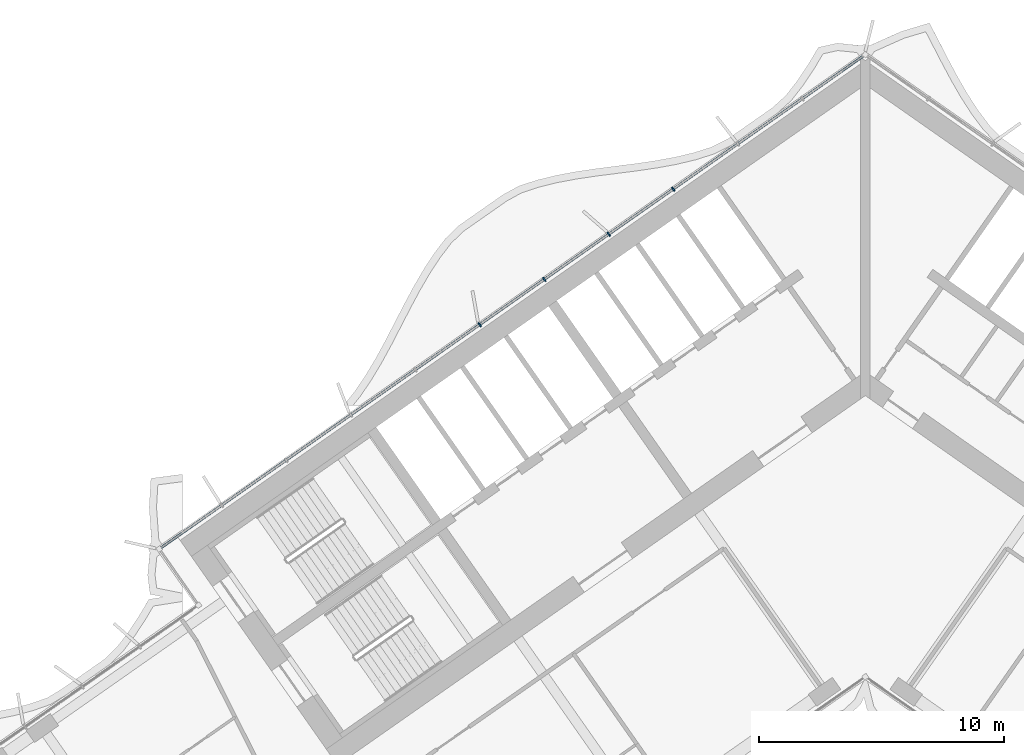
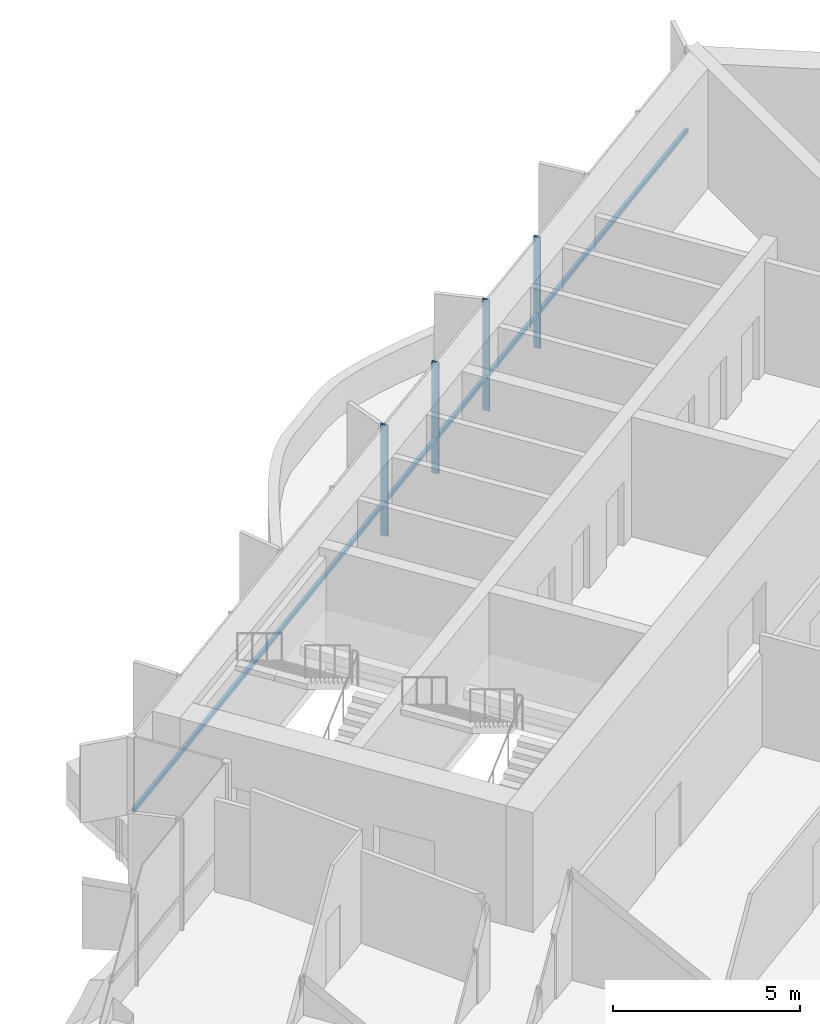
# One storey, part 8 of 24: 5 members, 1 element without a shape of its own.
"""IFC4 building model written with IfcOpenShell, lengths in metres."""

import ifcopenshell
import ifcopenshell.guid

model = None  # the IFC model being written
_history = None  # IfcOwnerHistory: only IFC2X3 demands one
_inside = {}  # id of a spatial element -> (the spatial element, [elements in it])
_under = {}  # id of a project, library or spatial element -> (it, [spatial elements below it])
_declared = {}  # id of a project -> (the project, [libraries it declares])
_typed = {}  # id of a type object -> (the type object, [elements of that type])
_made_of = {}  # id of a material, layer set ... -> (it, [elements and type objects made of it])


def new_model(schema):
    """Start an empty IFC model of exactly this schema.

    Asked for "IFC4X3", IfcOpenShell would pick the latest addendum, in which some entities
    have other attributes; the version numbers below select the first issue.
    IFC2X3 requires an IfcOwnerHistory on every rooted entity: one is made here for all.
    """
    global model, _history
    if schema == "IFC4X3":
        model = ifcopenshell.file(schema_version=(4, 3, 0, 0))
    else:
        model = ifcopenshell.file(schema=schema)
    _inside.clear()
    _under.clear()
    _declared.clear()
    _typed.clear()
    _made_of.clear()
    _history = None
    if model.schema == "IFC2X3":
        org = make("IfcOrganization", Name="unknown")
        user = make(
            "IfcPersonAndOrganization",
            ThePerson=make("IfcPerson", FamilyName="unknown"),
            TheOrganization=org,
        )
        app = make(
            "IfcApplication",
            ApplicationDeveloper=org,
            Version="unknown",
            ApplicationFullName="unknown",
            ApplicationIdentifier="unknown",
        )
        _history = make(
            "IfcOwnerHistory",
            OwningUser=user,
            OwningApplication=app,
            ChangeAction="ADDED",
            CreationDate=0,
        )
    return model


def make(cls, **values):
    """One entity of the class cls with the attributes given. An attribute that is None is left unset."""
    return model.create_entity(
        cls, **{name: value for name, value in values.items() if value is not None}
    )


def rooted(cls, **values):
    """An entity with a GlobalId (a new one), such as an element, a storey or a relation."""
    return make(cls, GlobalId=ifcopenshell.guid.new(), OwnerHistory=_history, **values)


def si_unit(unit_type, name, prefix=None):
    """IfcSIUnit, for example si_unit("LENGTHUNIT", "METRE", prefix="MILLI")."""
    return make("IfcSIUnit", UnitType=unit_type, Prefix=prefix, Name=name)


def assignment(units):
    """IfcUnitAssignment: the units of a project."""
    return None if units is None else make("IfcUnitAssignment", Units=units)


def point(xyz):
    """IfcCartesianPoint."""
    return None if xyz is None else make("IfcCartesianPoint", Coordinates=xyz)


def direction(xyz):
    """IfcDirection."""
    return None if xyz is None else make("IfcDirection", DirectionRatios=xyz)


def frame(location, z_axis=None, x_axis=None):
    """IfcAxis2Placement3D, a coordinate frame: its origin and axes. An axis left out is left unset."""
    return make(
        "IfcAxis2Placement3D",
        Location=point(location),
        Axis=direction(z_axis),
        RefDirection=direction(x_axis),
    )


def frame_2d(location, x_axis=None):
    """IfcAxis2Placement2D, a coordinate frame in the plane: its origin and x axis."""
    return make(
        "IfcAxis2Placement2D", Location=point(location), RefDirection=direction(x_axis)
    )


def origin():
    """The frame at (0, 0, 0) with its axes left unset."""
    return frame((0.0, 0.0, 0.0))


def origin_2d():
    """The frame at (0, 0) in the plane with its x axis left unset."""
    return frame_2d((0.0, 0.0))


def place(relative_to, where):
    """IfcLocalPlacement: puts the frame where relative to a parent placement (None: the world)."""
    return make(
        "IfcLocalPlacement", PlacementRelTo=relative_to, RelativePlacement=where
    )


def context(
    kind, dimensions, precision=None, world=None, true_north=None, identifier=None
):
    """IfcGeometricRepresentationContext, for example the 3D "Model" context."""
    return make(
        "IfcGeometricRepresentationContext",
        ContextIdentifier=identifier,
        ContextType=kind,
        CoordinateSpaceDimension=dimensions,
        Precision=precision,
        WorldCoordinateSystem=world,
        TrueNorth=true_north,
    )


def subcontext(parent, identifier, kind, view, scale=None):
    """IfcGeometricRepresentationSubContext, for example "Body" below "Model"."""
    return make(
        "IfcGeometricRepresentationSubContext",
        ContextIdentifier=identifier,
        ContextType=kind,
        ParentContext=parent,
        TargetScale=scale,
        TargetView=view,
    )


def project(units=None, contexts=None):
    """IfcProject with its units and contexts."""
    return rooted(
        "IfcProject",
        Name="project",
        RepresentationContexts=contexts,
        UnitsInContext=assignment(units),
    )


def spatial(cls, under=None, at=None, **own):
    """A site, building, storey or space (cls), placed at a placement, below another one or the project."""
    s = rooted(cls, ObjectPlacement=at, **own)
    if under is not None:
        _under.setdefault(under.id(), (under, []))[1].append(s)
    return s


def profile(cls, at=None, kind="AREA", **sizes):
    """A parametric profile (cls). Its sizes go by their IFC names, for example OverallWidth=200.0."""
    return make(cls, ProfileType=kind, Position=at, **sizes)


def rectangle(**sizes):
    """IfcRectangleProfileDef."""
    return profile("IfcRectangleProfileDef", **sizes)


def extrude(swept, where, along, depth):
    """IfcExtrudedAreaSolid: the profile swept, set in the frame where, extruded along a direction by depth."""
    return make(
        "IfcExtrudedAreaSolid",
        SweptArea=swept,
        Position=where,
        ExtrudedDirection=direction(along),
        Depth=depth,
    )


def shape(context_of_items, identifier, shape_type, items):
    """IfcShapeRepresentation: the items that make up one representation, for example the "Body"."""
    return make(
        "IfcShapeRepresentation",
        ContextOfItems=context_of_items,
        RepresentationIdentifier=identifier,
        RepresentationType=shape_type,
        Items=items,
    )


def material(Name=None, Category=None):
    """IfcMaterial."""
    return make("IfcMaterial", Name=Name, Category=Category)


def material_profile(
    of_material, cross_section, Name=None, Category=None, Priority=None
):
    """IfcMaterialProfile: a cross section and its material."""
    return make(
        "IfcMaterialProfile",
        Name=Name,
        Material=of_material,
        Profile=cross_section,
        Priority=Priority,
        Category=Category,
    )


def profile_set(profiles, Name=None, composite=None):
    """IfcMaterialProfileSet."""
    return make(
        "IfcMaterialProfileSet",
        Name=Name,
        MaterialProfiles=profiles,
        CompositeProfile=composite,
    )


def made_of(thing, what):
    """Note that an element or type object is made of a material, layer set ...; save() writes the relation."""
    if what is not None:
        _made_of.setdefault(what.id(), (what, []))[1].append(thing)
    return thing


def type_object(cls, material=None, **own):
    """A type object (cls), such as IfcWallType, which elements share."""
    return made_of(rooted(cls, **own), material)


def element(
    cls,
    number,
    at=None,
    inside=None,
    cuts=None,
    type_object=None,
    material=None,
    context=None,
    identifier="Body",
    shape_type=None,
    held_by="IfcProductDefinitionShape",
    body=None,
    shapes=None,
    **own,
):
    """One element of the class cls, such as IfcWall. Its Tag is "e" and its number.

    at: its placement. inside: the storey or other place that contains it. cuts: it is an
    opening in that element (IfcRelVoidsElement). A single representation is given by context,
    identifier, shape_type and body (its items); several are given by shapes. held_by: the class
    of the entity that holds the representations. save() writes the other relations.
    """
    e = rooted(cls, Tag="e%d" % number, ObjectPlacement=at, **own)
    if body is not None:
        shapes = [shape(context, identifier, shape_type, body)]
    if shapes is not None:
        e.Representation = make(held_by, Representations=shapes)
    if inside is not None:
        _inside.setdefault(inside.id(), (inside, []))[1].append(e)
    if cuts is not None:
        rooted(
            "IfcRelVoidsElement", RelatingBuildingElement=cuts, RelatedOpeningElement=e
        )
    if type_object is not None:
        _typed.setdefault(type_object.id(), (type_object, []))[1].append(e)
    return made_of(e, material)


def aggregate(whole, parts):
    """IfcRelAggregates: a whole, such as a stair, and the parts it consists of."""
    return rooted("IfcRelAggregates", RelatingObject=whole, RelatedObjects=parts)


def save(model, path):
    """Write the relations noted so far, then the file.

    IfcRelAggregates (storeys below a building ...), IfcRelContainedInSpatialStructure (elements
    in a storey), IfcRelDefinesByType, IfcRelAssociatesMaterial and IfcRelDeclares: one each for
    every whole, place, type object, material and project.
    """
    for whole, parts in _under.values():
        aggregate(whole, parts)
    for where, things in _inside.values():
        rooted(
            "IfcRelContainedInSpatialStructure",
            RelatedElements=things,
            RelatingStructure=where,
        )
    for kind, things in _typed.values():
        rooted("IfcRelDefinesByType", RelatedObjects=things, RelatingType=kind)
    for what, things in _made_of.values():
        rooted("IfcRelAssociatesMaterial", RelatedObjects=things, RelatingMaterial=what)
    for by, libraries in _declared.values():
        rooted("IfcRelDeclares", RelatingContext=by, RelatedDefinitions=libraries)
    model.write(path)


model = new_model("IFC4")

# Units and contexts
model_context = context("Model", 3, precision=1e-05, world=origin(), true_north=direction((0.0, 1.0)))
body_context = subcontext(model_context, "Body", "Model", "MODEL_VIEW")
ifc_project = project(units=[si_unit("LENGTHUNIT", "METRE"), si_unit("AREAUNIT", "SQUARE_METRE"), si_unit("VOLUMEUNIT", "CUBIC_METRE"), si_unit("PLANEANGLEUNIT", "RADIAN"), si_unit("MASSUNIT", "GRAM", prefix="KILO")], contexts=[model_context])

# Site, building, storey
site_placement = place(None, origin())
site = spatial("IfcSite", under=ifc_project, at=site_placement, CompositionType="ELEMENT")
building_placement = place(site_placement, origin())
building = spatial("IfcBuilding", under=site, at=building_placement, Name="Tel Ilan Convention Tower", CompositionType="ELEMENT")
storey_placement = place(building_placement, frame((0.0, 0.0, 167.10009765625)))
storey = spatial("IfcBuildingStorey", under=building, at=storey_placement, Name="L38", CompositionType="ELEMENT", Elevation=167.10009765625)

# Curtain wall, members
ifc_material_1 = material(Name="Aluminium, bronze anodised", Category="aluminium")
curtain_wall_type = type_object("IfcCurtainWallType", Name="CW2 STICK CURTAIN WALL, SPANDREL PANELS", PredefinedType="NOTDEFINED", material=ifc_material_1)
curtain_wall_placement = place(storey_placement, origin())
curtain_wall = element("IfcCurtainWall", 1, at=curtain_wall_placement, inside=storey, type_object=curtain_wall_type, Name="Curtain wall CW2-30.01", PredefinedType="NOTDEFINED")
ifc_material_2 = material(Name="Aluminium, bronze anodised", Category="aluminium")
ifc_material_profile_1 = material_profile(ifc_material_2, rectangle(XDim=0.06005859375, YDim=0.199951171875, at=origin_2d()), Name="CW MULLION 60x200")
ifc_profile_set_1 = profile_set([ifc_material_profile_1], Name="Aluminium, bronze anodised")
member_type_1 = type_object("IfcMemberType", Name="CW MULLION 60x200", PredefinedType="MULLION", material=ifc_profile_set_1)
member_1_placement = place(storey_placement, frame((-7.840576171875, 7.2060546875, 0.0), z_axis=(0.0, 0.0, 1.0), x_axis=(-0.819152044289, -0.573576436351, 0.0)))
member_1 = element("IfcMember", 2, at=member_1_placement, type_object=member_type_1, Name="Mullion", PredefinedType="MULLION", context=body_context, shape_type="SweptSolid", body=[
    extrude(rectangle(XDim=0.06005859375, YDim=0.199951171875, at=origin_2d()), origin(), (0.0, 0.0, 1.0), 3.619873046875),
])
member_2_placement = place(storey_placement, frame((-10.47314453125, 5.36279296875, 0.0), z_axis=(0.0, 0.0, 1.0), x_axis=(-0.819152044289, -0.573576436351, 0.0)))
member_2 = element("IfcMember", 3, at=member_2_placement, type_object=member_type_1, Name="Mullion", PredefinedType="MULLION", context=body_context, shape_type="SweptSolid", body=[
    extrude(rectangle(XDim=0.06005859375, YDim=0.199951171875, at=origin_2d()), origin(), (0.0, 0.0, 1.0), 3.619873046875),
])
member_3_placement = place(storey_placement, frame((-13.105712890625, 3.519287109375, 0.0), z_axis=(0.0, 0.0, 1.0), x_axis=(-0.819152044289, -0.573576436351, 0.0)))
member_3 = element("IfcMember", 4, at=member_3_placement, type_object=member_type_1, Name="Mullion", PredefinedType="MULLION", context=body_context, shape_type="SweptSolid", body=[
    extrude(rectangle(XDim=0.06005859375, YDim=0.199951171875, at=origin_2d()), origin(), (0.0, 0.0, 1.0), 3.619873046875),
])
member_4_placement = place(storey_placement, frame((-15.73828125, 1.676025390625, 0.0), z_axis=(0.0, 0.0, 1.0), x_axis=(-0.819152044289, -0.573576436351, 0.0)))
member_4 = element("IfcMember", 5, at=member_4_placement, type_object=member_type_1, Name="Mullion", PredefinedType="MULLION", context=body_context, shape_type="SweptSolid", body=[
    extrude(rectangle(XDim=0.06005859375, YDim=0.199951171875, at=origin_2d()), origin(), (0.0, 0.0, 1.0), 3.619873046875),
])
ifc_material_3 = material(Name="Aluminium, bronze anodised", Category="aluminium")
ifc_material_profile_2 = material_profile(ifc_material_3, rectangle(XDim=0.10009765625, YDim=0.1201171875, at=origin_2d()), Name="CW TRANSOM 100x120")
ifc_profile_set_2 = profile_set([ifc_material_profile_2], Name="Aluminium, bronze anodised")
member_type_2 = type_object("IfcMemberType", Name="CW TRANSOM 100x120", PredefinedType="USERDEFINED", material=ifc_profile_set_2)
member_5_placement = place(storey_placement, frame((-0.1064453125, 12.62158203125, 1.099853515625), z_axis=(-0.819150201937, -0.573579067494, 0.0), x_axis=(0.573579067494, -0.819150201937, 0.0)))
member_5 = element("IfcMember", 6, at=member_5_placement, type_object=member_type_2, Name="Transom", ObjectType="TRANSOM", PredefinedType="USERDEFINED", context=body_context, shape_type="SweptSolid", body=[
    extrude(rectangle(XDim=0.10009765625, YDim=0.1201171875, at=origin_2d()), origin(), (0.0, 0.0, 1.0), 34.9521484375),
])
aggregate(curtain_wall, [member_1, member_2, member_3, member_4, member_5])

save(model, "model.ifc")
